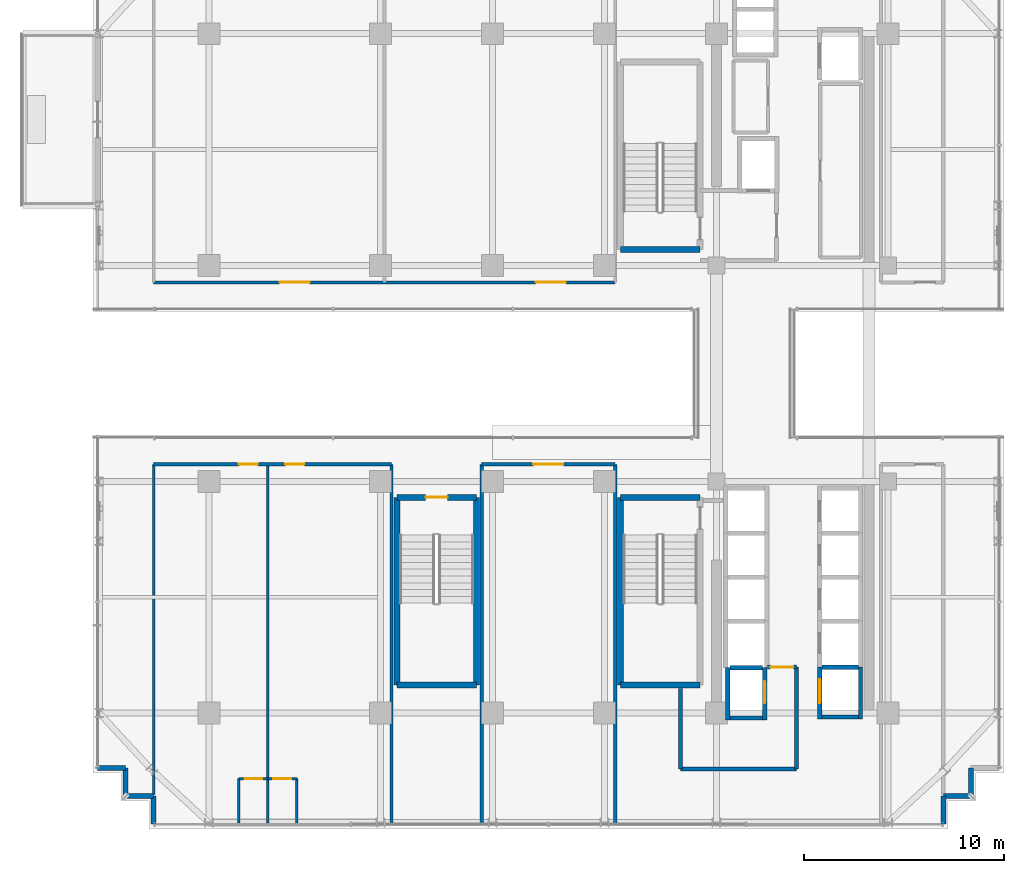
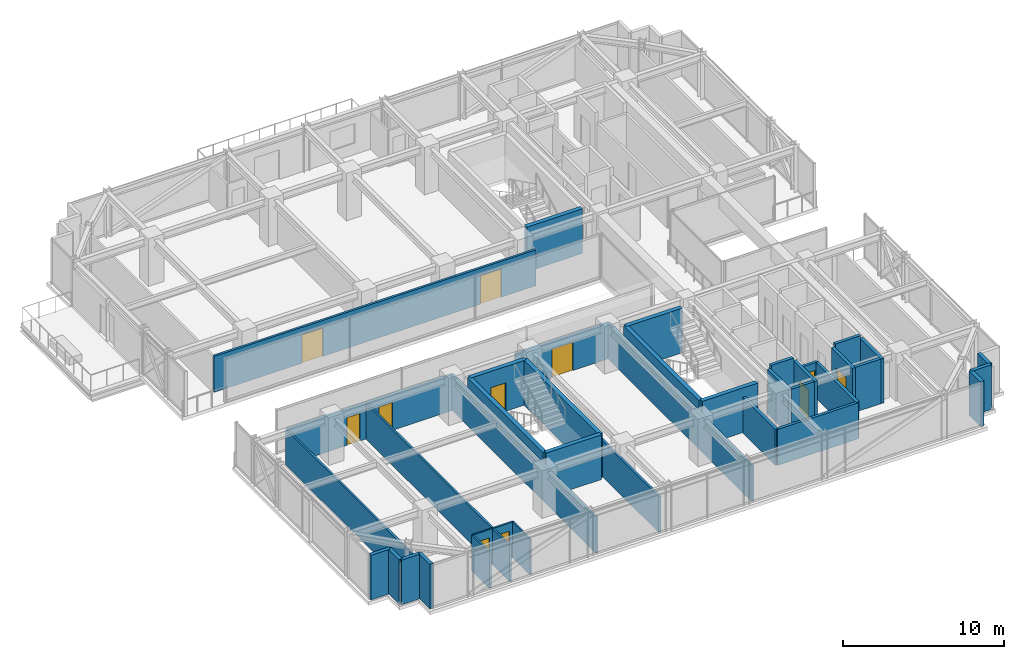
# One storey, part 36 of 43: 39 walls, 11 doors, 11 openings.
"""IFC4 building model written with IfcOpenShell, lengths in metres."""

import ifcopenshell
import ifcopenshell.guid

model = None  # the IFC model being written
_history = None  # IfcOwnerHistory: only IFC2X3 demands one
_inside = {}  # id of a spatial element -> (the spatial element, [elements in it])
_under = {}  # id of a project, library or spatial element -> (it, [spatial elements below it])
_declared = {}  # id of a project -> (the project, [libraries it declares])
_typed = {}  # id of a type object -> (the type object, [elements of that type])
_made_of = {}  # id of a material, layer set ... -> (it, [elements and type objects made of it])


def new_model(schema):
    """Start an empty IFC model of exactly this schema.

    Asked for "IFC4X3", IfcOpenShell would pick the latest addendum, in which some entities
    have other attributes; the version numbers below select the first issue.
    IFC2X3 requires an IfcOwnerHistory on every rooted entity: one is made here for all.
    """
    global model, _history
    if schema == "IFC4X3":
        model = ifcopenshell.file(schema_version=(4, 3, 0, 0))
    else:
        model = ifcopenshell.file(schema=schema)
    _inside.clear()
    _under.clear()
    _declared.clear()
    _typed.clear()
    _made_of.clear()
    _history = None
    if model.schema == "IFC2X3":
        org = make("IfcOrganization", Name="unknown")
        user = make(
            "IfcPersonAndOrganization",
            ThePerson=make("IfcPerson", FamilyName="unknown"),
            TheOrganization=org,
        )
        app = make(
            "IfcApplication",
            ApplicationDeveloper=org,
            Version="unknown",
            ApplicationFullName="unknown",
            ApplicationIdentifier="unknown",
        )
        _history = make(
            "IfcOwnerHistory",
            OwningUser=user,
            OwningApplication=app,
            ChangeAction="ADDED",
            CreationDate=0,
        )
    return model


def make(cls, **values):
    """One entity of the class cls with the attributes given. An attribute that is None is left unset."""
    return model.create_entity(
        cls, **{name: value for name, value in values.items() if value is not None}
    )


def rooted(cls, **values):
    """An entity with a GlobalId (a new one), such as an element, a storey or a relation."""
    return make(cls, GlobalId=ifcopenshell.guid.new(), OwnerHistory=_history, **values)


def si_unit(unit_type, name, prefix=None):
    """IfcSIUnit, for example si_unit("LENGTHUNIT", "METRE", prefix="MILLI")."""
    return make("IfcSIUnit", UnitType=unit_type, Prefix=prefix, Name=name)


def assignment(units):
    """IfcUnitAssignment: the units of a project."""
    return None if units is None else make("IfcUnitAssignment", Units=units)


def point(xyz):
    """IfcCartesianPoint."""
    return None if xyz is None else make("IfcCartesianPoint", Coordinates=xyz)


def direction(xyz):
    """IfcDirection."""
    return None if xyz is None else make("IfcDirection", DirectionRatios=xyz)


def frame(location, z_axis=None, x_axis=None):
    """IfcAxis2Placement3D, a coordinate frame: its origin and axes. An axis left out is left unset."""
    return make(
        "IfcAxis2Placement3D",
        Location=point(location),
        Axis=direction(z_axis),
        RefDirection=direction(x_axis),
    )


def frame_2d(location, x_axis=None):
    """IfcAxis2Placement2D, a coordinate frame in the plane: its origin and x axis."""
    return make(
        "IfcAxis2Placement2D", Location=point(location), RefDirection=direction(x_axis)
    )


def origin():
    """The frame at (0, 0, 0) with its axes left unset."""
    return frame((0.0, 0.0, 0.0))


def place(relative_to, where):
    """IfcLocalPlacement: puts the frame where relative to a parent placement (None: the world)."""
    return make(
        "IfcLocalPlacement", PlacementRelTo=relative_to, RelativePlacement=where
    )


def context(
    kind, dimensions, precision=None, world=None, true_north=None, identifier=None
):
    """IfcGeometricRepresentationContext, for example the 3D "Model" context."""
    return make(
        "IfcGeometricRepresentationContext",
        ContextIdentifier=identifier,
        ContextType=kind,
        CoordinateSpaceDimension=dimensions,
        Precision=precision,
        WorldCoordinateSystem=world,
        TrueNorth=true_north,
    )


def subcontext(parent, identifier, kind, view, scale=None):
    """IfcGeometricRepresentationSubContext, for example "Body" below "Model"."""
    return make(
        "IfcGeometricRepresentationSubContext",
        ContextIdentifier=identifier,
        ContextType=kind,
        ParentContext=parent,
        TargetScale=scale,
        TargetView=view,
    )


def project(units=None, contexts=None):
    """IfcProject with its units and contexts."""
    return rooted(
        "IfcProject",
        Name="project",
        RepresentationContexts=contexts,
        UnitsInContext=assignment(units),
    )


def spatial(cls, under=None, at=None, **own):
    """A site, building, storey or space (cls), placed at a placement, below another one or the project."""
    s = rooted(cls, ObjectPlacement=at, **own)
    if under is not None:
        _under.setdefault(under.id(), (under, []))[1].append(s)
    return s


def profile(cls, at=None, kind="AREA", **sizes):
    """A parametric profile (cls). Its sizes go by their IFC names, for example OverallWidth=200.0."""
    return make(cls, ProfileType=kind, Position=at, **sizes)


def rectangle(**sizes):
    """IfcRectangleProfileDef."""
    return profile("IfcRectangleProfileDef", **sizes)


def extrude(swept, where, along, depth):
    """IfcExtrudedAreaSolid: the profile swept, set in the frame where, extruded along a direction by depth."""
    return make(
        "IfcExtrudedAreaSolid",
        SweptArea=swept,
        Position=where,
        ExtrudedDirection=direction(along),
        Depth=depth,
    )


def shape(context_of_items, identifier, shape_type, items):
    """IfcShapeRepresentation: the items that make up one representation, for example the "Body"."""
    return make(
        "IfcShapeRepresentation",
        ContextOfItems=context_of_items,
        RepresentationIdentifier=identifier,
        RepresentationType=shape_type,
        Items=items,
    )


def source(mapping_origin, context_of_items, identifier, shape_type, items):
    """IfcRepresentationMap: a shape defined once, which mapped items show again and again."""
    return make(
        "IfcRepresentationMap",
        MappingOrigin=mapping_origin,
        MappedRepresentation=shape(context_of_items, identifier, shape_type, items),
    )


def transform(
    local_origin,
    x_axis=None,
    y_axis=None,
    z_axis=None,
    scale=None,
    scale2=None,
    scale3=None,
    uniform=True,
):
    """IfcCartesianTransformationOperator3D, or its non-uniform kind. x_axis, y_axis, z_axis: its Axis1, 2, 3."""
    if uniform:
        return make(
            "IfcCartesianTransformationOperator3D",
            Axis1=direction(x_axis),
            Axis2=direction(y_axis),
            LocalOrigin=point(local_origin),
            Scale=scale,
            Axis3=direction(z_axis),
        )
    return make(
        "IfcCartesianTransformationOperator3DnonUniform",
        Axis1=direction(x_axis),
        Axis2=direction(y_axis),
        LocalOrigin=point(local_origin),
        Scale=scale,
        Axis3=direction(z_axis),
        Scale2=scale2,
        Scale3=scale3,
    )


def mapped(mapping_source, mapping_target):
    """IfcMappedItem: shows the shape of a source again, moved by a transform."""
    return make(
        "IfcMappedItem", MappingSource=mapping_source, MappingTarget=mapping_target
    )


def material(Name=None, Category=None):
    """IfcMaterial."""
    return make("IfcMaterial", Name=Name, Category=Category)


def layer(
    of_material, thickness, ventilated=None, Name=None, Category=None, Priority=None
):
    """IfcMaterialLayer: one layer of a wall or slab, of a material (None: an air gap)."""
    return make(
        "IfcMaterialLayer",
        Material=of_material,
        LayerThickness=thickness,
        IsVentilated=ventilated,
        Name=Name,
        Category=Category,
        Priority=Priority,
    )


def layer_set(layers, Name=None):
    """IfcMaterialLayerSet."""
    return make("IfcMaterialLayerSet", MaterialLayers=layers, LayerSetName=Name)


def made_of(thing, what):
    """Note that an element or type object is made of a material, layer set ...; save() writes the relation."""
    if what is not None:
        _made_of.setdefault(what.id(), (what, []))[1].append(thing)
    return thing


def type_object(cls, material=None, **own):
    """A type object (cls), such as IfcWallType, which elements share."""
    return made_of(rooted(cls, **own), material)


def element(
    cls,
    number,
    at=None,
    inside=None,
    cuts=None,
    type_object=None,
    material=None,
    context=None,
    identifier="Body",
    shape_type=None,
    held_by="IfcProductDefinitionShape",
    body=None,
    shapes=None,
    **own,
):
    """One element of the class cls, such as IfcWall. Its Tag is "e" and its number.

    at: its placement. inside: the storey or other place that contains it. cuts: it is an
    opening in that element (IfcRelVoidsElement). A single representation is given by context,
    identifier, shape_type and body (its items); several are given by shapes. held_by: the class
    of the entity that holds the representations. save() writes the other relations.
    """
    e = rooted(cls, Tag="e%d" % number, ObjectPlacement=at, **own)
    if body is not None:
        shapes = [shape(context, identifier, shape_type, body)]
    if shapes is not None:
        e.Representation = make(held_by, Representations=shapes)
    if inside is not None:
        _inside.setdefault(inside.id(), (inside, []))[1].append(e)
    if cuts is not None:
        rooted(
            "IfcRelVoidsElement", RelatingBuildingElement=cuts, RelatedOpeningElement=e
        )
    if type_object is not None:
        _typed.setdefault(type_object.id(), (type_object, []))[1].append(e)
    return made_of(e, material)


def fill(opening, filler):
    """IfcRelFillsElement: the door or window that sits in an opening."""
    return rooted(
        "IfcRelFillsElement",
        RelatingOpeningElement=opening,
        RelatedBuildingElement=filler,
    )


def aggregate(whole, parts):
    """IfcRelAggregates: a whole, such as a stair, and the parts it consists of."""
    return rooted("IfcRelAggregates", RelatingObject=whole, RelatedObjects=parts)


def save(model, path):
    """Write the relations noted so far, then the file.

    IfcRelAggregates (storeys below a building ...), IfcRelContainedInSpatialStructure (elements
    in a storey), IfcRelDefinesByType, IfcRelAssociatesMaterial and IfcRelDeclares: one each for
    every whole, place, type object, material and project.
    """
    for whole, parts in _under.values():
        aggregate(whole, parts)
    for where, things in _inside.values():
        rooted(
            "IfcRelContainedInSpatialStructure",
            RelatedElements=things,
            RelatingStructure=where,
        )
    for kind, things in _typed.values():
        rooted("IfcRelDefinesByType", RelatedObjects=things, RelatingType=kind)
    for what, things in _made_of.values():
        rooted("IfcRelAssociatesMaterial", RelatedObjects=things, RelatingMaterial=what)
    for by, libraries in _declared.values():
        rooted("IfcRelDeclares", RelatingContext=by, RelatedDefinitions=libraries)
    model.write(path)


model = new_model("IFC4")

# Units and contexts
model_context = context("Model", 3, precision=1e-05, world=origin(), true_north=direction((0.0, 1.0)))
body_context = subcontext(model_context, "Body", "Model", "MODEL_VIEW")
ifc_project = project(units=[si_unit("LENGTHUNIT", "METRE"), si_unit("AREAUNIT", "SQUARE_METRE"), si_unit("VOLUMEUNIT", "CUBIC_METRE"), si_unit("PLANEANGLEUNIT", "RADIAN"), si_unit("MASSUNIT", "GRAM", prefix="KILO")], contexts=[model_context])

# Site, building, storey
site_placement = place(None, origin())
site = spatial("IfcSite", under=ifc_project, at=site_placement, CompositionType="ELEMENT")
building_placement = place(site_placement, origin())
building = spatial("IfcBuilding", under=site, at=building_placement, Name="Nahalor Promenade Grand Hotel", CompositionType="ELEMENT")
storey_placement = place(building_placement, frame((0.0, 0.0, 181.85009765625)))
storey = spatial("IfcBuildingStorey", under=building, at=storey_placement, Name="L46", CompositionType="ELEMENT", Elevation=181.85009765625)

# Walls
ifc_material_1 = material(Name="Concrete B-50 (C40/50)", Category="concrete")
ifc_layer_1 = layer(ifc_material_1, 0.300048828125)
ifc_layer_set_1 = layer_set([ifc_layer_1], Name="Concrete B-50 (C40/50)")
wall_type_1 = type_object("IfcWallType", Name="Wall-ShaftShear-300", PredefinedType="SHEAR", material=ifc_layer_set_1)
shared_shape_1 = source(origin(), body_context, "Body", "SweptSolid", [
    extrude(rectangle(XDim=3.97998046875, YDim=0.300048828125, at=frame_2d((1.989990234375, 0.0))), origin(), (0.0, 0.0, 1.0), 3.389892578125),
])
for number, where, z_axis, x_axis, name in (
    (1, (3.610107421875, 6.2099609375, 0.0), (0.0, 0.0, 1.0), (1.0, 0.0, 0.0), "L46 Exit Stair ST1 Shaft Wall S"),
    (2, (3.610107421875, -15.590087890625, 0.0), (0.0, 0.0, 1.0), (1.0, 0.0, 0.0), "L46 Exit Stair ST2 Shaft Wall S"),
    (3, (3.610107421875, -6.2099609375, 0.0), (0.0, 0.0, 1.0), (1.0, 0.0, 0.0), "L46 Exit Stair ST2 Shaft Wall N"),
    (4, (-7.590087890625, -15.590087890625, 0.0), (0.0, 0.0, 1.0), (1.0, 0.0, 0.0), "L46 Exit Stair ST3 Shaft Wall S"),
):
    element("IfcWall", number, at=place(storey_placement, frame(where, z_axis=z_axis, x_axis=x_axis)), inside=storey, type_object=wall_type_1, Name=name, PredefinedType="SHEAR", context=body_context, shape_type="MappedRepresentation", body=[
        mapped(shared_shape_1, transform((0.0, 0.0, 0.0), scale=1.0)),
    ])

# Wall, opening, door
wall_1_placement = place(storey_placement, frame((-7.590087890625, -6.2099609375, 0.0), z_axis=(0.0, 0.0, 1.0), x_axis=(1.0, 0.0, 0.0)))
wall_1 = element("IfcWall", 5, at=wall_1_placement, inside=storey, type_object=wall_type_1, Name="L46 Exit Stair ST3 Shaft Wall N", PredefinedType="SHEAR", context=body_context, shape_type="MappedRepresentation", body=[
    mapped(shared_shape_1, transform((0.0, 0.0, 0.0), scale=1.0)),
])
opening_1_placement = place(wall_1_placement, frame((1.43994140625, 0.0, 0.0)))
opening_1 = element("IfcOpeningElement", 6, at=opening_1_placement, cuts=wall_1, Name="Opening D-ST1", PredefinedType="OPENING", context=body_context, shape_type="SweptSolid", body=[
    extrude(rectangle(XDim=1.10009765625, YDim=2.14990234375, at=frame_2d((0.550048828125, 1.074951171875))), frame((0.0, 0.159912109375, 0.0), z_axis=(0.0, -1.0, 0.0), x_axis=(1.0, 0.0, 0.0)), (0.0, 0.0, 1.0), 0.320068359375),
])
ifc_material_2 = material(Name="Steel S355JR", Category="steel")
door_type_1 = type_object("IfcDoorType", Name="Door-StairFire-1100", OperationType="NOTDEFINED", PredefinedType="DOOR", material=ifc_material_2)
shared_shape_2 = source(origin(), body_context, "Body", "SweptSolid", [
    extrude(rectangle(XDim=1.10009765625, YDim=2.14990234375, at=frame_2d((0.550048828125, 1.074951171875))), frame((0.0, 0.02490234375, 0.0), z_axis=(0.0, -1.0, 0.0), x_axis=(1.0, 0.0, 0.0)), (0.0, 0.0, 1.0), 0.050048828125),
])
door_1_placement = place(opening_1_placement, frame((1.10009765625, 0.0, 0.0), z_axis=(0.0, 0.0, 1.0), x_axis=(-1.0, 0.0, 0.0)))
door_1 = element("IfcDoor", 7, at=door_1_placement, inside=storey, type_object=door_type_1, Name="DR-STAIR-ST3-L46", OperationType="SINGLE_SWING_LEFT", OverallHeight=2.14990234375, OverallWidth=1.10009765625, PredefinedType="DOOR", context=body_context, shape_type="MappedRepresentation", body=[
    mapped(shared_shape_2, transform((0.0, 0.0, 0.0), scale=1.0)),
])
fill(opening_1, door_1)

# Walls
shared_shape_3 = source(origin(), body_context, "Body", "SweptSolid", [
    extrude(rectangle(XDim=9.380126953125, YDim=0.300048828125, at=frame_2d((4.68994140625, 0.0))), origin(), (0.0, 0.0, 1.0), 3.389892578125),
])
for number, where, z_axis, x_axis, name in (
    (8, (3.610107421875, -15.590087890625, 0.0), (0.0, 0.0, 1.0), (0.0, 1.0, 0.0), "L46 Exit Stair ST2 Shaft Wall W"),
    (9, (-7.590087890625, -15.590087890625, 0.0), (0.0, 0.0, 1.0), (0.0, 1.0, 0.0), "L46 Exit Stair ST3 Shaft Wall W"),
    (10, (-3.610107421875, -15.590087890625, 0.0), (0.0, 0.0, 1.0), (0.0, 1.0, 0.0), "L46 Exit Stair ST3 Shaft Wall E"),
):
    element("IfcWall", number, at=place(storey_placement, frame(where, z_axis=z_axis, x_axis=x_axis)), inside=storey, type_object=wall_type_1, Name=name, PredefinedType="SHEAR", context=body_context, shape_type="MappedRepresentation", body=[
        mapped(shared_shape_3, transform((0.0, 0.0, 0.0), scale=1.0)),
    ])
ifc_layer_2 = layer(ifc_material_1, 0.219970703125)
ifc_layer_set_2 = layer_set([ifc_layer_2], Name="Concrete B-50 (C40/50)")
wall_type_2 = type_object("IfcWallType", Name="Wall-LiftShaft-220", PredefinedType="SHEAR", material=ifc_layer_set_2)
shared_shape_4 = source(origin(), body_context, "Body", "SweptSolid", [
    extrude(rectangle(XDim=1.820068359375, YDim=0.219970703125, at=frame_2d((0.91015625, 0.0))), origin(), (0.0, 0.0, 1.0), 3.64990234375),
])
wall_2_placement = place(storey_placement, frame((13.68994140625, -14.699951171875, 0.0), z_axis=(0.0, 0.0, 1.0), x_axis=(1.0, 0.0, 0.0)))
element("IfcWall", 11, at=wall_2_placement, inside=storey, type_object=wall_type_2, Name="L46 Lift SV2 Hoistway Wall N", PredefinedType="SHEAR", context=body_context, shape_type="MappedRepresentation", body=[
    mapped(shared_shape_4, transform((0.0, 0.0, 0.0), scale=1.0)),
])
shared_shape_5 = source(origin(), body_context, "Body", "SweptSolid", [
    extrude(rectangle(XDim=1.820068359375, YDim=0.219970703125, at=frame_2d((0.91015625, 0.0))), origin(), (0.0, 0.0, 1.0), 3.389892578125),
])
wall_3_placement = place(storey_placement, frame((13.68994140625, -17.199951171875, 0.0), z_axis=(0.0, 0.0, 1.0), x_axis=(1.0, 0.0, 0.0)))
element("IfcWall", 12, at=wall_3_placement, inside=storey, type_object=wall_type_2, Name="L46 Lift SV2 Hoistway Wall S", PredefinedType="SHEAR", context=body_context, shape_type="MappedRepresentation", body=[
    mapped(shared_shape_5, transform((0.0, 0.0, 0.0), scale=1.0)),
])
shared_shape_6 = source(origin(), body_context, "Body", "SweptSolid", [
    extrude(rectangle(XDim=1.619873046875, YDim=0.219970703125, at=frame_2d((0.81005859375, 0.0))), origin(), (0.0, 0.0, 1.0), 3.64990234375),
])
wall_4_placement = place(storey_placement, frame((9.090087890625, -14.72509765625, 0.0), z_axis=(0.0, 0.0, 1.0), x_axis=(1.0, 0.0, 0.0)))
element("IfcWall", 13, at=wall_4_placement, inside=storey, type_object=wall_type_2, Name="L46 Lift FL2 Hoistway Wall N", PredefinedType="SHEAR", context=body_context, shape_type="MappedRepresentation", body=[
    mapped(shared_shape_6, transform((0.0, 0.0, 0.0), scale=1.0)),
])
shared_shape_7 = source(origin(), body_context, "Body", "SweptSolid", [
    extrude(rectangle(XDim=2.635009765625, YDim=0.219970703125, at=frame_2d((1.3173828125, 0.0))), origin(), (0.0, 0.0, 1.0), 3.389892578125),
])
wall_5_placement = place(storey_placement, frame((8.97998046875, -17.360107421875, 0.0), z_axis=(0.0, 0.0, 1.0), x_axis=(0.0, 1.0, 0.0)))
element("IfcWall", 14, at=wall_5_placement, inside=storey, type_object=wall_type_2, Name="L46 Lift FL2 Hoistway Wall W", PredefinedType="SHEAR", context=body_context, shape_type="MappedRepresentation", body=[
    mapped(shared_shape_7, transform((0.0, 0.0, 0.0), scale=1.0)),
])

# Wall, opening, door
wall_6_placement = place(storey_placement, frame((10.820068359375, -17.360107421875, 0.0), z_axis=(0.0, 0.0, 1.0), x_axis=(0.0, 1.0, 0.0)))
wall_6 = element("IfcWall", 15, at=wall_6_placement, inside=storey, type_object=wall_type_2, Name="L46 Lift FL2 Hoistway Wall E", PredefinedType="SHEAR", context=body_context, shape_type="MappedRepresentation", body=[
    mapped(shared_shape_7, transform((0.0, 0.0, 0.0), scale=1.0)),
])
opening_2_placement = place(wall_6_placement, frame((0.860107421875, 0.0, 0.0)))
opening_2 = element("IfcOpeningElement", 16, at=opening_2_placement, cuts=wall_6, Name="Opening LD-02", PredefinedType="OPENING", context=body_context, shape_type="SweptSolid", body=[
    extrude(rectangle(XDim=1.10009765625, YDim=2.199951171875, at=frame_2d((0.550048828125, 1.10009765625))), frame((0.0, 0.119873046875, 0.0), z_axis=(0.0, -1.0, 0.0), x_axis=(1.0, 0.0, 0.0)), (0.0, 0.0, 1.0), 0.239990234375),
])
door_type_2 = type_object("IfcDoorType", Name="Door-LiftFF-1100", OperationType="DOUBLE_DOOR_SLIDING", PredefinedType="DOOR", material=ifc_material_2)
shared_shape_8 = source(origin(), body_context, "Body", "SweptSolid", [
    extrude(rectangle(XDim=1.10009765625, YDim=2.199951171875, at=frame_2d((0.550048828125, 1.10009765625))), frame((0.0, 0.02490234375, 0.0), z_axis=(0.0, -1.0, 0.0), x_axis=(1.0, 0.0, 0.0)), (0.0, 0.0, 1.0), 0.050048828125),
])
door_2_placement = place(opening_2_placement, frame((1.10009765625, 0.0, 0.0), z_axis=(0.0, 0.0, 1.0), x_axis=(-1.0, 0.0, 0.0)))
door_2 = element("IfcDoor", 17, at=door_2_placement, inside=storey, type_object=door_type_2, Name="DR-LIFT-FL2-L46", OperationType="DOUBLE_DOOR_SLIDING", OverallHeight=2.199951171875, OverallWidth=1.10009765625, PredefinedType="DOOR", context=body_context, shape_type="MappedRepresentation", body=[
    mapped(shared_shape_8, transform((0.0, 0.0, 0.0), scale=1.0)),
])
fill(opening_2, door_2)

# Wall
shared_shape_9 = source(origin(), body_context, "Body", "SweptSolid", [
    extrude(rectangle(XDim=1.619873046875, YDim=0.219970703125, at=frame_2d((0.81005859375, 0.0))), origin(), (0.0, 0.0, 1.0), 3.389892578125),
])
wall_7_placement = place(storey_placement, frame((9.090087890625, -17.25, 0.0), z_axis=(0.0, 0.0, 1.0), x_axis=(1.0, 0.0, 0.0)))
element("IfcWall", 18, at=wall_7_placement, inside=storey, type_object=wall_type_2, Name="L46 Lift FL2 Hoistway Wall S", PredefinedType="SHEAR", context=body_context, shape_type="MappedRepresentation", body=[
    mapped(shared_shape_9, transform((0.0, 0.0, 0.0), scale=1.0)),
])

# Wall, opening, door
shared_shape_10 = source(origin(), body_context, "Body", "SweptSolid", [
    extrude(rectangle(XDim=2.610107421875, YDim=0.219970703125, at=frame_2d((1.30517578125, 0.0))), origin(), (0.0, 0.0, 1.0), 3.389892578125),
])
wall_8_placement = place(storey_placement, frame((13.580078125, -17.31005859375, 0.0), z_axis=(0.0, 0.0, 1.0), x_axis=(0.0, 1.0, 0.0)))
wall_8 = element("IfcWall", 19, at=wall_8_placement, inside=storey, type_object=wall_type_2, Name="L46 Lift SV2 Hoistway Wall W", PredefinedType="SHEAR", context=body_context, shape_type="MappedRepresentation", body=[
    mapped(shared_shape_10, transform((0.0, 0.0, 0.0), scale=1.0)),
])
opening_3_placement = place(wall_8_placement, frame((0.81005859375, 0.0, 0.0)))
opening_3 = element("IfcOpeningElement", 20, at=opening_3_placement, cuts=wall_8, Name="Opening LD-03", PredefinedType="OPENING", context=body_context, shape_type="SweptSolid", body=[
    extrude(rectangle(XDim=1.199951171875, YDim=2.199951171875, at=frame_2d((0.60009765625, 1.10009765625))), frame((0.0, 0.119873046875, 0.0), z_axis=(0.0, -1.0, 0.0), x_axis=(1.0, 0.0, 0.0)), (0.0, 0.0, 1.0), 0.239990234375),
])
door_type_3 = type_object("IfcDoorType", Name="Door-LiftService-1200", OperationType="DOUBLE_DOOR_SLIDING", PredefinedType="DOOR", material=ifc_material_2)
shared_shape_11 = source(origin(), body_context, "Body", "SweptSolid", [
    extrude(rectangle(XDim=1.199951171875, YDim=2.199951171875, at=frame_2d((0.60009765625, 1.10009765625))), frame((0.0, 0.02490234375, 0.0), z_axis=(0.0, -1.0, 0.0), x_axis=(1.0, 0.0, 0.0)), (0.0, 0.0, 1.0), 0.050048828125),
])
door_3_placement = place(opening_3_placement, origin())
door_3 = element("IfcDoor", 21, at=door_3_placement, inside=storey, type_object=door_type_3, Name="DR-LIFT-SV2-L46", OperationType="DOUBLE_DOOR_SLIDING", OverallHeight=2.199951171875, OverallWidth=1.199951171875, PredefinedType="DOOR", context=body_context, shape_type="MappedRepresentation", body=[
    mapped(shared_shape_11, transform((0.0, 0.0, 0.0), scale=1.0)),
])
fill(opening_3, door_3)

# Walls
wall_9_placement = place(storey_placement, frame((15.6201171875, -17.31005859375, 0.0), z_axis=(0.0, 0.0, 1.0), x_axis=(0.0, 1.0, 0.0)))
element("IfcWall", 22, at=wall_9_placement, inside=storey, type_object=wall_type_2, Name="L46 Lift SV2 Hoistway Wall E", PredefinedType="SHEAR", context=body_context, shape_type="MappedRepresentation", body=[
    mapped(shared_shape_10, transform((0.0, 0.0, 0.0), scale=1.0)),
])
ifc_material_3 = material(Name="Concrete B-40 (C32/40)", Category="concrete")
ifc_layer_3 = layer(ifc_material_3, 0.25)
ifc_layer_set_3 = layer_set([ifc_layer_3], Name="Concrete B-40 (C32/40)")
wall_type_3 = type_object("IfcWallType", Name="Wall-BronzePier-250", PredefinedType="STANDARD", material=ifc_layer_set_3)
shared_shape_12 = source(origin(), body_context, "Body", "SweptSolid", [
    extrude(rectangle(XDim=1.400146484375, YDim=0.25, at=frame_2d((0.7001953125, 0.0))), origin(), (0.0, 0.0, 1.0), 3.389892578125),
])
for number, where, z_axis, x_axis, name in (
    (23, (19.760009765625, -22.56005859375, 0.0), (0.0, 0.0, 1.0), (0.0, 1.0, 0.0), "W-L46-SR-01"),
    (24, (-22.56005859375, -19.760009765625, 0.0), (0.0, 0.0, 1.0), (1.0, 0.0, 0.0), "W-L46-SR-13"),
    (25, (-19.760009765625, -22.56005859375, 0.0), (0.0, 0.0, 1.0), (0.0, 1.0, 0.0), "W-L46-SR-16"),
):
    element("IfcWall", number, at=place(storey_placement, frame(where, z_axis=z_axis, x_axis=x_axis)), inside=storey, type_object=wall_type_3, Name=name, PredefinedType="STANDARD", context=body_context, shape_type="MappedRepresentation", body=[
        mapped(shared_shape_12, transform((0.0, 0.0, 0.0), scale=1.0)),
    ])
shared_shape_13 = source(origin(), body_context, "Body", "SweptSolid", [
    extrude(rectangle(XDim=1.39990234375, YDim=0.25, at=frame_2d((0.699951171875, 0.0))), origin(), (0.0, 0.0, 1.0), 3.389892578125),
])
for number, where, z_axis, x_axis, name in (
    (26, (19.760009765625, -21.159912109375, 0.0), (0.0, 0.0, 1.0), (1.0, 0.0, 0.0), "W-L46-SR-02"),
    (27, (21.159912109375, -21.159912109375, 0.0), (0.0, 0.0, 1.0), (0.0, 1.0, 0.0), "W-L46-SR-03"),
    (28, (-21.159912109375, -21.159912109375, 0.0), (0.0, 0.0, 1.0), (0.0, 1.0, 0.0), "W-L46-SR-14"),
    (29, (-21.159912109375, -21.159912109375, 0.0), (0.0, 0.0, 1.0), (1.0, 0.0, 0.0), "W-L46-SR-15"),
):
    element("IfcWall", number, at=place(storey_placement, frame(where, z_axis=z_axis, x_axis=x_axis)), inside=storey, type_object=wall_type_3, Name=name, PredefinedType="STANDARD", context=body_context, shape_type="MappedRepresentation", body=[
        mapped(shared_shape_13, transform((0.0, 0.0, 0.0), scale=1.0)),
    ])
ifc_layer_4 = layer(ifc_material_3, 0.199951171875)
ifc_layer_set_4 = layer_set([ifc_layer_4], Name="Concrete B-40 (C32/40)")
wall_type_4 = type_object("IfcWallType", Name="Wall-PartFire-200", PredefinedType="PARTITIONING", material=ifc_layer_set_4)
shared_shape_14 = source(origin(), body_context, "Body", "SweptSolid", [
    extrude(rectangle(XDim=5.81982421875, YDim=0.199951171875, at=frame_2d((2.909912109375, 0.0))), origin(), (0.0, 0.0, 1.0), 2.72998046875),
])
wall_10_placement = place(storey_placement, frame((6.60009765625, -19.800048828125, 0.0), z_axis=(0.0, 0.0, 1.0), x_axis=(1.0, 0.0, 0.0)))
element("IfcWall", 30, at=wall_10_placement, inside=storey, type_object=wall_type_4, Name="W-L46-FF2-S1", PredefinedType="PARTITIONING", context=body_context, shape_type="MappedRepresentation", body=[
    mapped(shared_shape_14, transform((0.0, 0.0, 0.0), scale=1.0)),
])
shared_shape_15 = source(origin(), body_context, "Body", "SweptSolid", [
    extrude(rectangle(XDim=4.030029296875, YDim=0.199951171875, at=frame_2d((2.01513671875, 0.0))), origin(), (0.0, 0.0, 1.0), 2.72998046875),
])
wall_11_placement = place(storey_placement, frame((6.60009765625, -19.800048828125, 0.0), z_axis=(0.0, 0.0, 1.0), x_axis=(0.0, 1.0, 0.0)))
element("IfcWall", 31, at=wall_11_placement, inside=storey, type_object=wall_type_4, Name="W-L46-FF2-W1", PredefinedType="PARTITIONING", context=body_context, shape_type="MappedRepresentation", body=[
    mapped(shared_shape_15, transform((0.0, 0.0, 0.0), scale=1.0)),
])
shared_shape_16 = source(origin(), body_context, "Body", "SweptSolid", [
    extrude(rectangle(XDim=5.10009765625, YDim=0.199951171875, at=frame_2d((2.550048828125, 0.0))), origin(), (0.0, 0.0, 1.0), 2.72998046875),
])
wall_12_placement = place(storey_placement, frame((12.419921875, -19.800048828125, 0.0), z_axis=(0.0, 0.0, 1.0), x_axis=(0.0, 1.0, 0.0)))
element("IfcWall", 32, at=wall_12_placement, inside=storey, type_object=wall_type_4, Name="W-L46-FF2-E", PredefinedType="PARTITIONING", context=body_context, shape_type="MappedRepresentation", body=[
    mapped(shared_shape_16, transform((0.0, 0.0, 0.0), scale=1.0)),
])

# Wall, opening, door
shared_shape_17 = source(origin(), body_context, "Body", "SweptSolid", [
    extrude(rectangle(XDim=1.4599609375, YDim=0.199951171875, at=frame_2d((0.72998046875, 0.0))), origin(), (0.0, 0.0, 1.0), 2.72998046875),
])
wall_13_placement = place(storey_placement, frame((10.9599609375, -14.699951171875, 0.0), z_axis=(0.0, 0.0, 1.0), x_axis=(1.0, 0.0, 0.0)))
wall_13 = element("IfcWall", 33, at=wall_13_placement, inside=storey, type_object=wall_type_4, Name="W-L46-FF2-N1", PredefinedType="PARTITIONING", context=body_context, shape_type="MappedRepresentation", body=[
    mapped(shared_shape_17, transform((0.0, 0.0, 0.0), scale=1.0)),
])
opening_4_placement = place(wall_13_placement, frame((0.14501953125, 0.0, 0.0)))
opening_4 = element("IfcOpeningElement", 34, at=opening_4_placement, cuts=wall_13, Name="Opening D-FF1", PredefinedType="OPENING", context=body_context, shape_type="SweptSolid", body=[
    extrude(rectangle(XDim=1.14990234375, YDim=2.14990234375, at=frame_2d((0.574951171875, 1.074951171875))), frame((0.0, 0.10986328125, 0.0), z_axis=(0.0, -1.0, 0.0), x_axis=(1.0, 0.0, 0.0)), (0.0, 0.0, 1.0), 0.219970703125),
])
door_type_4 = type_object("IfcDoorType", Name="Door-FFLobby-1150", OperationType="NOTDEFINED", PredefinedType="DOOR", material=ifc_material_2)
shared_shape_18 = source(origin(), body_context, "Body", "SweptSolid", [
    extrude(rectangle(XDim=1.14990234375, YDim=2.14990234375, at=frame_2d((0.574951171875, 1.074951171875))), frame((0.0, 0.02490234375, 0.0), z_axis=(0.0, -1.0, 0.0), x_axis=(1.0, 0.0, 0.0)), (0.0, 0.0, 1.0), 0.050048828125),
])
door_4_placement = place(opening_4_placement, origin())
door_4 = element("IfcDoor", 35, at=door_4_placement, inside=storey, type_object=door_type_4, Name="DR-L46-FFL2", OperationType="SINGLE_SWING_RIGHT", OverallHeight=2.14990234375, OverallWidth=1.14990234375, PredefinedType="DOOR", context=body_context, shape_type="MappedRepresentation", body=[
    mapped(shared_shape_18, transform((0.0, 0.0, 0.0), scale=1.0)),
])
fill(opening_4, door_4)

# Walls
ifc_material_4 = material(Name="Acoustic Mineral Gypsum", Category="gypsum")
ifc_layer_5 = layer(ifc_material_4, 0.159912109375)
ifc_layer_set_5 = layer_set([ifc_layer_5], Name="Acoustic Mineral Gypsum")
wall_type_5 = type_object("IfcWallType", Name="Wall-PartCorridor-160", PredefinedType="PARTITIONING", material=ifc_layer_set_5)
shared_shape_19 = source(origin(), body_context, "Body", "SweptSolid", [
    extrude(rectangle(XDim=17.949951171875, YDim=0.159912109375, at=frame_2d((8.97509765625, 0.0))), origin(), (0.0, 0.0, 1.0), 2.72998046875),
])
for number, where, z_axis, x_axis, name in (
    (36, (-3.340087890625, -22.5, 0.0), (0.0, 0.0, 1.0), (0.0, 1.0, 0.0), "W-L46-SCB-W"),
    (37, (3.340087890625, -22.5, 0.0), (0.0, 0.0, 1.0), (0.0, 1.0, 0.0), "W-L46-SCB-E"),
):
    element("IfcWall", number, at=place(storey_placement, frame(where, z_axis=z_axis, x_axis=x_axis)), inside=storey, type_object=wall_type_5, Name=name, PredefinedType="PARTITIONING", context=body_context, shape_type="MappedRepresentation", body=[
        mapped(shared_shape_19, transform((0.0, 0.0, 0.0), scale=1.0)),
    ])

# Wall, opening, door
ifc_layer_6 = layer(ifc_material_4, 0.1201171875)
ifc_layer_set_6 = layer_set([ifc_layer_6], Name="Acoustic Mineral Gypsum")
wall_type_6 = type_object("IfcWallType", Name="Wall-PartBath-120", PredefinedType="PARTITIONING", material=ifc_layer_set_6)
shared_shape_20 = source(origin(), body_context, "Body", "SweptSolid", [
    extrude(rectangle(XDim=1.449951171875, YDim=0.1201171875, at=frame_2d((0.72509765625, 0.0))), origin(), (0.0, 0.0, 1.0), 2.72998046875),
])
wall_14_placement = place(storey_placement, frame((-15.498046875, -20.280029296875, 0.0), z_axis=(0.0, 0.0, 1.0), x_axis=(1.0, 0.0, 0.0)))
wall_14 = element("IfcWall", 38, at=wall_14_placement, inside=storey, type_object=wall_type_6, Name="W-L46-S1-BH", PredefinedType="PARTITIONING", context=body_context, shape_type="MappedRepresentation", body=[
    mapped(shared_shape_20, transform((0.0, 0.0, 0.0), scale=1.0)),
])
opening_5_placement = place(wall_14_placement, frame((0.284912109375, 0.0, 0.0)))
opening_5 = element("IfcOpeningElement", 39, at=opening_5_placement, cuts=wall_14, Name="Opening D-03", PredefinedType="OPENING", context=body_context, shape_type="SweptSolid", body=[
    extrude(rectangle(XDim=0.8798828125, YDim=2.10009765625, at=frame_2d((0.43994140625, 1.050048828125))), frame((0.0, 0.070068359375, 0.0), z_axis=(0.0, -1.0, 0.0), x_axis=(1.0, 0.0, 0.0)), (0.0, 0.0, 1.0), 0.14013671875),
])
ifc_material_5 = material(Name="Fire-Rated Timber Composite", Category="wood")
door_type_5 = type_object("IfcDoorType", Name="Door-BathSwing-880", OperationType="NOTDEFINED", PredefinedType="DOOR", material=ifc_material_5)
shared_shape_21 = source(origin(), body_context, "Body", "SweptSolid", [
    extrude(rectangle(XDim=0.8798828125, YDim=2.10009765625, at=frame_2d((0.43994140625, 1.050048828125))), frame((0.0, 0.02490234375, 0.0), z_axis=(0.0, -1.0, 0.0), x_axis=(1.0, 0.0, 0.0)), (0.0, 0.0, 1.0), 0.050048828125),
])
door_5_placement = place(opening_5_placement, frame((0.8798828125, 0.0, 0.0), z_axis=(0.0, 0.0, 1.0), x_axis=(-1.0, 0.0, 0.0)))
door_5 = element("IfcDoor", 40, at=door_5_placement, inside=storey, type_object=door_type_5, Name="DR-L46-S1-BATH", OperationType="SINGLE_SWING_LEFT", OverallHeight=2.10009765625, OverallWidth=0.8798828125, PredefinedType="DOOR", context=body_context, shape_type="MappedRepresentation", body=[
    mapped(shared_shape_21, transform((0.0, 0.0, 0.0), scale=1.0)),
])
fill(opening_5, door_5)

# Walls
shared_shape_22 = source(origin(), body_context, "Body", "SweptSolid", [
    extrude(rectangle(XDim=2.219970703125, YDim=0.1201171875, at=frame_2d((1.10986328125, 0.0))), origin(), (0.0, 0.0, 1.0), 2.72998046875),
])
for number, where, z_axis, x_axis, name in (
    (41, (-15.498046875, -22.5, 0.0), (0.0, 0.0, 1.0), (0.0, 1.0, 0.0), "W-L46-S1-BV"),
    (42, (-12.597900390625, -22.5, 0.0), (0.0, 0.0, 1.0), (0.0, 1.0, 0.0), "W-L46-S2-BV"),
):
    element("IfcWall", number, at=place(storey_placement, frame(where, z_axis=z_axis, x_axis=x_axis)), inside=storey, type_object=wall_type_6, Name=name, PredefinedType="PARTITIONING", context=body_context, shape_type="MappedRepresentation", body=[
        mapped(shared_shape_22, transform((0.0, 0.0, 0.0), scale=1.0)),
    ])
ifc_layer_7 = layer(ifc_material_4, 0.139892578125)
ifc_layer_set_7 = layer_set([ifc_layer_7], Name="Acoustic Mineral Gypsum")
wall_type_7 = type_object("IfcWallType", Name="Wall-PartSuite-140", PredefinedType="PARTITIONING", material=ifc_layer_set_7)
shared_shape_23 = source(origin(), body_context, "Body", "SweptSolid", [
    extrude(rectangle(XDim=17.949951171875, YDim=0.139892578125, at=frame_2d((8.97509765625, 0.0))), origin(), (0.0, 0.0, 1.0), 2.72998046875),
])
for number, where, z_axis, x_axis, name in (
    (43, (-7.860107421875, -22.5, 0.0), (0.0, 0.0, 1.0), (0.0, 1.0, 0.0), "W-L46-SW-ENDE"),
    (44, (-14.048095703125, -22.5, 0.0), (0.0, 0.0, 1.0), (0.0, 1.0, 0.0), "W-L46-SP-1"),
):
    element("IfcWall", number, at=place(storey_placement, frame(where, z_axis=z_axis, x_axis=x_axis)), inside=storey, type_object=wall_type_7, Name=name, PredefinedType="PARTITIONING", context=body_context, shape_type="MappedRepresentation", body=[
        mapped(shared_shape_23, transform((0.0, 0.0, 0.0), scale=1.0)),
    ])

# Wall, opening, door
shared_shape_24 = source(origin(), body_context, "Body", "SweptSolid", [
    extrude(rectangle(XDim=1.4501953125, YDim=0.1201171875, at=frame_2d((0.72509765625, 0.0))), origin(), (0.0, 0.0, 1.0), 2.72998046875),
])
wall_15_placement = place(storey_placement, frame((-14.048095703125, -20.280029296875, 0.0), z_axis=(0.0, 0.0, 1.0), x_axis=(1.0, 0.0, 0.0)))
wall_15 = element("IfcWall", 45, at=wall_15_placement, inside=storey, type_object=wall_type_6, Name="W-L46-S2-BH", PredefinedType="PARTITIONING", context=body_context, shape_type="MappedRepresentation", body=[
    mapped(shared_shape_24, transform((0.0, 0.0, 0.0), scale=1.0)),
])
opening_6_placement = place(wall_15_placement, frame((0.284912109375, 0.0, 0.0)))
opening_6 = element("IfcOpeningElement", 46, at=opening_6_placement, cuts=wall_15, Name="Opening D-03", PredefinedType="OPENING", context=body_context, shape_type="SweptSolid", body=[
    extrude(rectangle(XDim=0.8798828125, YDim=2.10009765625, at=frame_2d((0.43994140625, 1.050048828125))), frame((0.0, 0.070068359375, 0.0), z_axis=(0.0, -1.0, 0.0), x_axis=(1.0, 0.0, 0.0)), (0.0, 0.0, 1.0), 0.14013671875),
])
door_6_placement = place(opening_6_placement, frame((0.8798828125, 0.0, 0.0), z_axis=(0.0, 0.0, 1.0), x_axis=(-1.0, 0.0, 0.0)))
door_6 = element("IfcDoor", 47, at=door_6_placement, inside=storey, type_object=door_type_5, Name="DR-L46-S2-BATH", OperationType="SINGLE_SWING_LEFT", OverallHeight=2.10009765625, OverallWidth=0.8798828125, PredefinedType="DOOR", context=body_context, shape_type="MappedRepresentation", body=[
    mapped(shared_shape_21, transform((0.0, 0.0, 0.0), scale=1.0)),
])
fill(opening_6, door_6)

shared_shape_25 = source(origin(), body_context, "Body", "SweptSolid", [
    extrude(rectangle(XDim=6.68017578125, YDim=0.159912109375, at=frame_2d((3.340087890625, 0.0))), origin(), (0.0, 0.0, 1.0), 2.72998046875),
])
wall_16_placement = place(storey_placement, frame((-3.340087890625, -4.550048828125, 0.0), z_axis=(0.0, 0.0, 1.0), x_axis=(1.0, 0.0, 0.0)))
wall_16 = element("IfcWall", 48, at=wall_16_placement, inside=storey, type_object=wall_type_5, Name="W-L46-SCB-N", PredefinedType="PARTITIONING", context=body_context, shape_type="MappedRepresentation", body=[
    mapped(shared_shape_25, transform((0.0, 0.0, 0.0), scale=1.0)),
])
opening_7_placement = place(wall_16_placement, frame((2.590087890625, 0.0, 0.0)))
opening_7 = element("IfcOpeningElement", 49, at=opening_7_placement, cuts=wall_16, Name="Opening D-02", PredefinedType="OPENING", context=body_context, shape_type="SweptSolid", body=[
    extrude(rectangle(XDim=1.5, YDim=2.14990234375, at=frame_2d((0.75, 1.074951171875))), frame((0.0, 0.08984375, 0.0), z_axis=(0.0, -1.0, 0.0), x_axis=(1.0, 0.0, 0.0)), (0.0, 0.0, 1.0), 0.179931640625),
])
door_type_6 = type_object("IfcDoorType", Name="Door-SuiteDouble-1500", OperationType="DOUBLE_DOOR_SINGLE_SWING", PredefinedType="DOOR", material=ifc_material_5)
shared_shape_26 = source(origin(), body_context, "Body", "SweptSolid", [
    extrude(rectangle(XDim=1.5, YDim=2.14990234375, at=frame_2d((0.75, 1.074951171875))), frame((0.0, 0.02490234375, 0.0), z_axis=(0.0, -1.0, 0.0), x_axis=(1.0, 0.0, 0.0)), (0.0, 0.0, 1.0), 0.050048828125),
])
door_7_placement = place(opening_7_placement, frame((1.5, 0.0, 0.0), z_axis=(0.0, 0.0, 1.0), x_axis=(-1.0, 0.0, 0.0)))
door_7 = element("IfcDoor", 50, at=door_7_placement, inside=storey, type_object=door_type_6, Name="DR-L46-SCB", OperationType="DOUBLE_DOOR_SINGLE_SWING", OverallHeight=2.14990234375, OverallWidth=1.5, PredefinedType="DOOR", context=body_context, shape_type="MappedRepresentation", body=[
    mapped(shared_shape_26, transform((0.0, 0.0, 0.0), scale=1.0)),
])
fill(opening_7, door_7)

# Wall, openings, doors
shared_shape_27 = source(origin(), body_context, "Body", "SweptSolid", [
    extrude(rectangle(XDim=23.10009765625, YDim=0.159912109375, at=frame_2d((11.550048828125, 0.0))), origin(), (0.0, 0.0, 1.0), 2.72998046875),
])
wall_17_placement = place(storey_placement, frame((-19.760009765625, 4.550048828125, 0.0), z_axis=(0.0, 0.0, 1.0), x_axis=(1.0, 0.0, 0.0)))
wall_17 = element("IfcWall", 51, at=wall_17_placement, inside=storey, type_object=wall_type_5, Name="W-L46-CORR-N", PredefinedType="PARTITIONING", context=body_context, shape_type="MappedRepresentation", body=[
    mapped(shared_shape_27, transform((0.0, 0.0, 0.0), scale=1.0)),
])
opening_8_placement = place(wall_17_placement, frame((6.302001953125, 0.0, 0.0)))
opening_8 = element("IfcOpeningElement", 52, at=opening_8_placement, cuts=wall_17, Name="Opening D-02", PredefinedType="OPENING", context=body_context, shape_type="SweptSolid", body=[
    extrude(rectangle(XDim=1.5, YDim=2.14990234375, at=frame_2d((0.75, 1.074951171875))), frame((0.0, 0.08984375, 0.0), z_axis=(0.0, -1.0, 0.0), x_axis=(1.0, 0.0, 0.0)), (0.0, 0.0, 1.0), 0.179931640625),
])
opening_9_placement = place(wall_17_placement, frame((19.12890625, 0.0, 0.0)))
opening_9 = element("IfcOpeningElement", 53, at=opening_9_placement, cuts=wall_17, Name="Opening D-02", PredefinedType="OPENING", context=body_context, shape_type="SweptSolid", body=[
    extrude(rectangle(XDim=1.5, YDim=2.14990234375, at=frame_2d((0.75, 1.074951171875))), frame((0.0, 0.08984375, 0.0), z_axis=(0.0, -1.0, 0.0), x_axis=(1.0, 0.0, 0.0)), (0.0, 0.0, 1.0), 0.179931640625),
])
door_8_placement = place(opening_8_placement, origin())
door_8 = element("IfcDoor", 54, at=door_8_placement, inside=storey, type_object=door_type_6, Name="DR-L46-N1-ENT", OperationType="DOUBLE_DOOR_SINGLE_SWING", OverallHeight=2.14990234375, OverallWidth=1.5, PredefinedType="DOOR", context=body_context, shape_type="MappedRepresentation", body=[
    mapped(shared_shape_26, transform((0.0, 0.0, 0.0), scale=1.0)),
])
fill(opening_8, door_8)
door_9_placement = place(opening_9_placement, origin())
door_9 = element("IfcDoor", 55, at=door_9_placement, inside=storey, type_object=door_type_6, Name="DR-L46-N2-ENT", OperationType="DOUBLE_DOOR_SINGLE_SWING", OverallHeight=2.14990234375, OverallWidth=1.5, PredefinedType="DOOR", context=body_context, shape_type="MappedRepresentation", body=[
    mapped(shared_shape_26, transform((0.0, 0.0, 0.0), scale=1.0)),
])
fill(opening_9, door_9)

# Wall
shared_shape_28 = source(origin(), body_context, "Body", "SweptSolid", [
    extrude(rectangle(XDim=16.530029296875, YDim=0.139892578125, at=frame_2d((8.26513671875, 0.0))), origin(), (0.0, 0.0, 1.0), 2.72998046875),
])
wall_18_placement = place(storey_placement, frame((-19.760009765625, -21.080078125, 0.0), z_axis=(0.0, 0.0, 1.0), x_axis=(0.0, 1.0, 0.0)))
element("IfcWall", 56, at=wall_18_placement, inside=storey, type_object=wall_type_7, Name="W-L46-SW-ENDW", PredefinedType="PARTITIONING", context=body_context, shape_type="MappedRepresentation", body=[
    mapped(shared_shape_28, transform((0.0, 0.0, 0.0), scale=1.0)),
])

# Wall, openings, doors
shared_shape_29 = source(origin(), body_context, "Body", "SweptSolid", [
    extrude(rectangle(XDim=11.89990234375, YDim=0.159912109375, at=frame_2d((5.949951171875, 0.0))), origin(), (0.0, 0.0, 1.0), 2.72998046875),
])
wall_19_placement = place(storey_placement, frame((-19.760009765625, -4.550048828125, 0.0), z_axis=(0.0, 0.0, 1.0), x_axis=(1.0, 0.0, 0.0)))
wall_19 = element("IfcWall", 57, at=wall_19_placement, inside=storey, type_object=wall_type_5, Name="W-L46-CORR-S", PredefinedType="PARTITIONING", context=body_context, shape_type="MappedRepresentation", body=[
    mapped(shared_shape_29, transform((0.0, 0.0, 0.0), scale=1.0)),
])
opening_10_placement = place(wall_19_placement, frame((4.27099609375, 0.0, 0.0)))
opening_10 = element("IfcOpeningElement", 58, at=opening_10_placement, cuts=wall_19, Name="Opening D-01", PredefinedType="OPENING", context=body_context, shape_type="SweptSolid", body=[
    extrude(rectangle(XDim=0.949951171875, YDim=2.10009765625, at=frame_2d((0.47509765625, 1.050048828125))), frame((0.0, 0.08984375, 0.0), z_axis=(0.0, -1.0, 0.0), x_axis=(1.0, 0.0, 0.0)), (0.0, 0.0, 1.0), 0.179931640625),
])
opening_11_placement = place(wall_19_placement, frame((6.597900390625, 0.0, 0.0)))
opening_11 = element("IfcOpeningElement", 59, at=opening_11_placement, cuts=wall_19, Name="Opening D-01", PredefinedType="OPENING", context=body_context, shape_type="SweptSolid", body=[
    extrude(rectangle(XDim=0.949951171875, YDim=2.10009765625, at=frame_2d((0.47509765625, 1.050048828125))), frame((0.0, 0.08984375, 0.0), z_axis=(0.0, -1.0, 0.0), x_axis=(1.0, 0.0, 0.0)), (0.0, 0.0, 1.0), 0.179931640625),
])
door_type_7 = type_object("IfcDoorType", Name="Door-GuestEntry-950", OperationType="NOTDEFINED", PredefinedType="DOOR", material=ifc_material_5)
shared_shape_30 = source(origin(), body_context, "Body", "SweptSolid", [
    extrude(rectangle(XDim=0.949951171875, YDim=2.10009765625, at=frame_2d((0.47509765625, 1.050048828125))), frame((0.0, 0.02490234375, 0.0), z_axis=(0.0, -1.0, 0.0), x_axis=(1.0, 0.0, 0.0)), (0.0, 0.0, 1.0), 0.050048828125),
])
door_10_placement = place(opening_10_placement, frame((0.949951171875, 0.0, 0.0), z_axis=(0.0, 0.0, 1.0), x_axis=(-1.0, 0.0, 0.0)))
door_10 = element("IfcDoor", 60, at=door_10_placement, inside=storey, type_object=door_type_7, Name="DR-L46-S1-ENT", OperationType="SINGLE_SWING_RIGHT", OverallHeight=2.10009765625, OverallWidth=0.949951171875, PredefinedType="DOOR", context=body_context, shape_type="MappedRepresentation", body=[
    mapped(shared_shape_30, transform((0.0, 0.0, 0.0), scale=1.0)),
])
fill(opening_10, door_10)
door_11_placement = place(opening_11_placement, frame((0.949951171875, 0.0, 0.0), z_axis=(0.0, 0.0, 1.0), x_axis=(-1.0, 0.0, 0.0)))
door_11 = element("IfcDoor", 61, at=door_11_placement, inside=storey, type_object=door_type_7, Name="DR-L46-S2-ENT", OperationType="SINGLE_SWING_RIGHT", OverallHeight=2.10009765625, OverallWidth=0.949951171875, PredefinedType="DOOR", context=body_context, shape_type="MappedRepresentation", body=[
    mapped(shared_shape_30, transform((0.0, 0.0, 0.0), scale=1.0)),
])
fill(opening_11, door_11)

save(model, "model.ifc")
